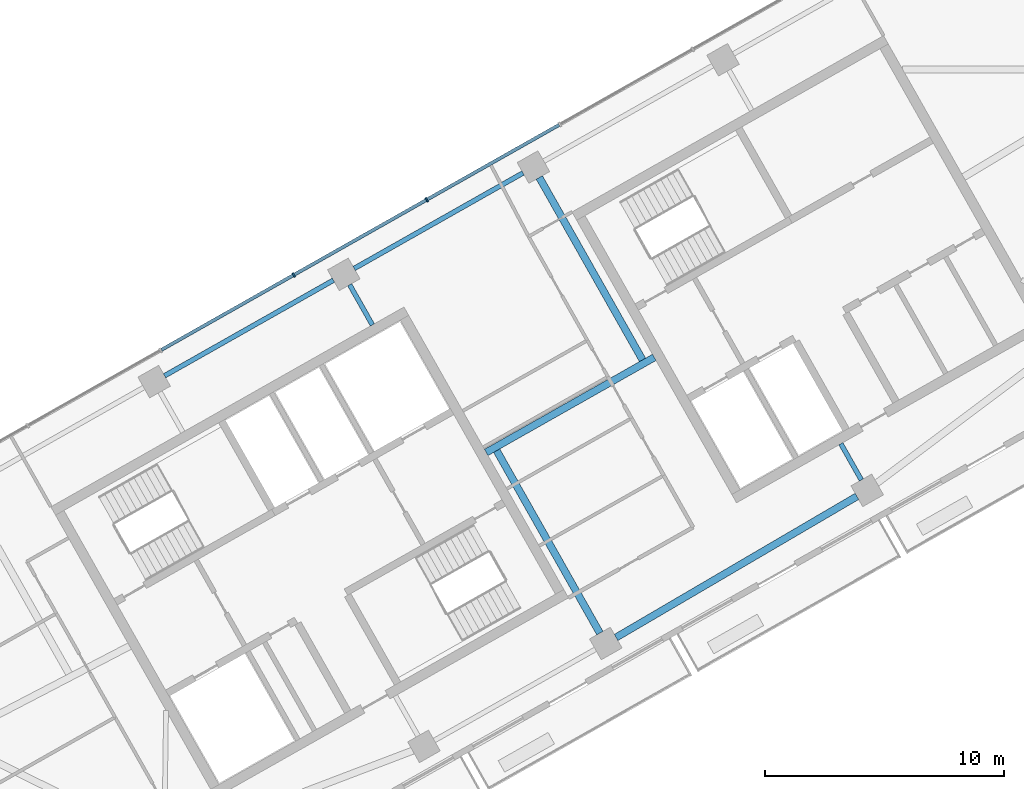
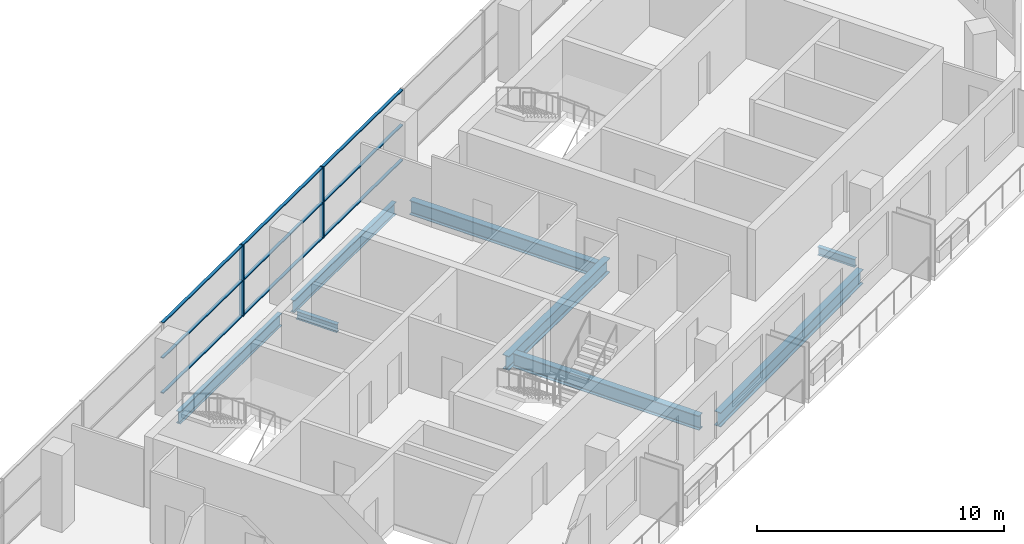
# One storey, part 3 of 10: 11 members, 8 beams, 1 element without a shape of its own.
"""IFC4 building model written with IfcOpenShell, lengths in metres."""

from ifc_helpers import new_model, si_unit, direction, frame, origin, origin_2d, place, context, subcontext, project, spatial, rectangle, i_section, extrude, material, material_profile, profile_set, type_object, element, aggregate, save


model = new_model("IFC4")

# Units and contexts
model_context = context("Model", 3, precision=1e-05, world=origin(), true_north=direction((0.0, 1.0)))
body_context = subcontext(model_context, "Body", "Model", "MODEL_VIEW")
ifc_project = project(units=[si_unit("LENGTHUNIT", "METRE"), si_unit("AREAUNIT", "SQUARE_METRE"), si_unit("VOLUMEUNIT", "CUBIC_METRE"), si_unit("PLANEANGLEUNIT", "RADIAN"), si_unit("MASSUNIT", "GRAM", prefix="KILO")], contexts=[model_context])

# Site, building, storey
site_placement = place(None, origin())
site = spatial("IfcSite", under=ifc_project, at=site_placement, CompositionType="ELEMENT")
building_placement = place(site_placement, origin())
building = spatial("IfcBuilding", under=site, at=building_placement, Name="Binnacle Exchange Tower", CompositionType="ELEMENT")
storey_placement = place(building_placement, frame((0.0, 0.0, 339.300048828125)))
storey = spatial("IfcBuildingStorey", under=building, at=storey_placement, Name="L77", CompositionType="ELEMENT", Elevation=339.300048828125)

# Curtain wall, members
ifc_material_1 = material(Name="Bronze anodised aluminium frame", Category="aluminium")
curtain_wall_type = type_object("IfcCurtainWallType", Name="External wall - curtain wall executive floors", PredefinedType="NOTDEFINED", material=ifc_material_1)
curtain_wall_placement = place(storey_placement, origin())
curtain_wall = element("IfcCurtainWall", 1, at=curtain_wall_placement, inside=storey, type_object=curtain_wall_type, Name="External wall curtain wall CW4-H03 L77", PredefinedType="NOTDEFINED")
ifc_material_profile_1 = material_profile(ifc_material_1, rectangle(XDim=0.199951171875, YDim=0.070068359375, at=origin_2d()), Name="AL 70x200")
ifc_profile_set_1 = profile_set([ifc_material_profile_1], Name="Bronze anodised aluminium frame")
member_type_1 = type_object("IfcMemberType", Name="CW4 MULLION 70x200", PredefinedType="MULLION", material=ifc_profile_set_1)
member_1_placement = place(storey_placement, frame((-30.85791015625, 54.541259765625, 0.0), z_axis=(0.0, 0.0, 1.0), x_axis=(0.492423763019, -0.870355581136, 0.0)))
member_1 = element("IfcMember", 2, at=member_1_placement, type_object=member_type_1, Name="CW4-H03 mullion 6", PredefinedType="MULLION", context=body_context, shape_type="SweptSolid", body=[
    extrude(rectangle(XDim=0.199951171875, YDim=0.070068359375, at=origin_2d()), origin(), (0.0, 0.0, 1.0), 3.52001953125),
])
member_2_placement = place(storey_placement, frame((-36.432861328125, 51.38720703125, 0.0), z_axis=(0.0, 0.0, 1.0), x_axis=(0.492423763019, -0.870355581136, 0.0)))
member_2 = element("IfcMember", 3, at=member_2_placement, type_object=member_type_1, Name="CW4-H03 mullion 7", PredefinedType="MULLION", context=body_context, shape_type="SweptSolid", body=[
    extrude(rectangle(XDim=0.199951171875, YDim=0.070068359375, at=origin_2d()), origin(), (0.0, 0.0, 1.0), 3.52001953125),
])
ifc_material_profile_2 = material_profile(ifc_material_1, rectangle(XDim=0.139892578125, YDim=0.050048828125, at=origin_2d()), Name="AL 140x50")
ifc_profile_set_2 = profile_set([ifc_material_profile_2], Name="Bronze anodised aluminium frame")
member_type_2 = type_object("IfcMemberType", Name="CW4 TRANSOM 50x140", PredefinedType="USERDEFINED", material=ifc_profile_set_2)
member_3_placement = place(storey_placement, frame((-25.3134765625, 57.67822265625, 0.02490234375), z_axis=(-0.870364679821, -0.492407680809, 0.0), x_axis=(0.492407680809, -0.870364679821, 0.0)))
member_3 = element("IfcMember", 4, at=member_3_placement, type_object=member_type_2, Name="CW4-H03 transom 5.1", ObjectType="TRANSOM", PredefinedType="USERDEFINED", context=body_context, shape_type="SweptSolid", body=[
    extrude(rectangle(XDim=0.139892578125, YDim=0.050048828125, at=origin_2d()), origin(), (0.0, 0.0, 1.0), 6.33544921875),
])
member_4_placement = place(storey_placement, frame((-25.3134765625, 57.67822265625, 1.760009765625), z_axis=(-0.870364679821, -0.492407680809, 0.0), x_axis=(0.492407680809, -0.870364679821, 0.0)))
member_4 = element("IfcMember", 5, at=member_4_placement, type_object=member_type_2, Name="CW4-H03 transom 5.2", ObjectType="TRANSOM", PredefinedType="USERDEFINED", context=body_context, shape_type="SweptSolid", body=[
    extrude(rectangle(XDim=0.139892578125, YDim=0.050048828125, at=origin_2d()), origin(), (0.0, 0.0, 1.0), 6.33544921875),
])
member_5_placement = place(storey_placement, frame((-25.3134765625, 57.67822265625, 3.494873046875), z_axis=(-0.870364679821, -0.492407680809, 0.0), x_axis=(0.492407680809, -0.870364679821, 0.0)))
member_5 = element("IfcMember", 6, at=member_5_placement, type_object=member_type_2, Name="CW4-H03 transom 5.3", ObjectType="TRANSOM", PredefinedType="USERDEFINED", context=body_context, shape_type="SweptSolid", body=[
    extrude(rectangle(XDim=0.139892578125, YDim=0.050048828125, at=origin_2d()), origin(), (0.0, 0.0, 1.0), 6.33544921875),
])
member_6_placement = place(storey_placement, frame((-30.888427734375, 54.524169921875, 0.02490234375), z_axis=(-0.870355335808, -0.492424196633, 0.0), x_axis=(0.492424196633, -0.870355335808, 0.0)))
member_6 = element("IfcMember", 7, at=member_6_placement, type_object=member_type_2, Name="CW4-H03 transom 6.1", ObjectType="TRANSOM", PredefinedType="USERDEFINED", context=body_context, shape_type="SweptSolid", body=[
    extrude(rectangle(XDim=0.139892578125, YDim=0.050048828125, at=origin_2d()), origin(), (0.0, 0.0, 1.0), 6.335205078125),
])
member_7_placement = place(storey_placement, frame((-30.888427734375, 54.524169921875, 1.760009765625), z_axis=(-0.870355335808, -0.492424196633, 0.0), x_axis=(0.492424196633, -0.870355335808, 0.0)))
member_7 = element("IfcMember", 8, at=member_7_placement, type_object=member_type_2, Name="CW4-H03 transom 6.2", ObjectType="TRANSOM", PredefinedType="USERDEFINED", context=body_context, shape_type="SweptSolid", body=[
    extrude(rectangle(XDim=0.139892578125, YDim=0.050048828125, at=origin_2d()), origin(), (0.0, 0.0, 1.0), 6.335205078125),
])
member_8_placement = place(storey_placement, frame((-30.888427734375, 54.524169921875, 3.494873046875), z_axis=(-0.870355335808, -0.492424196633, 0.0), x_axis=(0.492424196633, -0.870355335808, 0.0)))
member_8 = element("IfcMember", 9, at=member_8_placement, type_object=member_type_2, Name="CW4-H03 transom 6.3", ObjectType="TRANSOM", PredefinedType="USERDEFINED", context=body_context, shape_type="SweptSolid", body=[
    extrude(rectangle(XDim=0.139892578125, YDim=0.050048828125, at=origin_2d()), origin(), (0.0, 0.0, 1.0), 6.335205078125),
])
member_9_placement = place(storey_placement, frame((-36.46337890625, 51.3701171875, 0.02490234375), z_axis=(-0.870338819343, -0.492453388195, 0.0), x_axis=(0.492453388195, -0.870338819343, 0.0)))
member_9 = element("IfcMember", 10, at=member_9_placement, type_object=member_type_2, Name="CW4-H03 transom 7.1", ObjectType="TRANSOM", PredefinedType="USERDEFINED", context=body_context, shape_type="SweptSolid", body=[
    extrude(rectangle(XDim=0.139892578125, YDim=0.050048828125, at=origin_2d()), origin(), (0.0, 0.0, 1.0), 6.33544921875),
])
member_10_placement = place(storey_placement, frame((-36.46337890625, 51.3701171875, 1.760009765625), z_axis=(-0.870338819343, -0.492453388195, 0.0), x_axis=(0.492453388195, -0.870338819343, 0.0)))
member_10 = element("IfcMember", 11, at=member_10_placement, type_object=member_type_2, Name="CW4-H03 transom 7.2", ObjectType="TRANSOM", PredefinedType="USERDEFINED", context=body_context, shape_type="SweptSolid", body=[
    extrude(rectangle(XDim=0.139892578125, YDim=0.050048828125, at=origin_2d()), origin(), (0.0, 0.0, 1.0), 6.33544921875),
])
member_11_placement = place(storey_placement, frame((-36.46337890625, 51.3701171875, 3.494873046875), z_axis=(-0.870338819343, -0.492453388195, 0.0), x_axis=(0.492453388195, -0.870338819343, 0.0)))
member_11 = element("IfcMember", 12, at=member_11_placement, type_object=member_type_2, Name="CW4-H03 transom 7.3", ObjectType="TRANSOM", PredefinedType="USERDEFINED", context=body_context, shape_type="SweptSolid", body=[
    extrude(rectangle(XDim=0.139892578125, YDim=0.050048828125, at=origin_2d()), origin(), (0.0, 0.0, 1.0), 6.33544921875),
])
aggregate(curtain_wall, [member_1, member_2, member_3, member_4, member_5, member_6, member_7, member_8, member_9, member_10, member_11])

# Beams
ifc_material_2 = material(Name="Steel S355 (SHN355)", Category="steel")
ifc_material_profile_3 = material_profile(ifc_material_2, i_section(OverallWidth=0.201904296875, OverallDepth=0.612060546875, WebThickness=0.012939453125, FlangeThickness=0.02294921875, FilletRadius=0.02197265625, at=origin_2d()), Name="H 612x202x13x23")
ifc_profile_set_3 = profile_set([ifc_material_profile_3], Name="Steel S355 (SHN355)")
beam_type_1 = type_object("IfcBeamType", Name="Edge girder H 612x202x13x23 Steel S355 (SHN355)", PredefinedType="SPANDREL", material=ifc_profile_set_3)
beam_1_placement = place(storey_placement, frame((-34.76904296875, 51.168212890625, -0.5859375), z_axis=(-0.870345742373, -0.492441152558, 0.0), x_axis=(0.492441152558, -0.870345742373, 0.0)))
element("IfcBeam", 13, at=beam_1_placement, inside=storey, type_object=beam_type_1, Name="S:BM:edge:L77:009", PredefinedType="SPANDREL", context=body_context, shape_type="SweptSolid", body=[
    extrude(i_section(OverallWidth=0.201904296875, OverallDepth=0.612060546875, WebThickness=0.012939453125, FlangeThickness=0.02294921875, FilletRadius=0.02197265625, at=origin_2d()), origin(), (0.0, 0.0, 1.0), 8.129638671875),
])
beam_2_placement = place(storey_placement, frame((-26.82275390625, 55.6640625, -0.5859375), z_axis=(-0.870353024448, -0.49242828192, 0.0), x_axis=(0.49242828192, -0.870353024448, 0.0)))
element("IfcBeam", 14, at=beam_2_placement, inside=storey, type_object=beam_type_1, Name="S:BM:edge:L77:011", PredefinedType="SPANDREL", context=body_context, shape_type="SweptSolid", body=[
    extrude(i_section(OverallWidth=0.201904296875, OverallDepth=0.612060546875, WebThickness=0.012939453125, FlangeThickness=0.02294921875, FilletRadius=0.02197265625, at=origin_2d()), origin(), (0.0, 0.0, 1.0), 8.1298828125),
])
ifc_material_profile_4 = material_profile(ifc_material_2, i_section(OverallWidth=0.302001953125, OverallDepth=0.7080078125, WebThickness=0.014892578125, FlangeThickness=0.028076171875, FilletRadius=0.028076171875, at=origin_2d()), Name="H 708x302x15x28")
ifc_profile_set_4 = profile_set([ifc_material_profile_4], Name="Steel S355 (SHN355)")
beam_type_2 = type_object("IfcBeamType", Name="Edge girder H 708x302x15x28 Steel S355 (SHN355)", PredefinedType="SPANDREL", material=ifc_profile_set_4)
beam_3_placement = place(storey_placement, frame((-22.924560546875, 36.198974609375, -0.634033203125), z_axis=(0.862883491145, 0.505402889494, 0.0), x_axis=(-0.505402889494, 0.862883491145, 0.0)))
element("IfcBeam", 15, at=beam_3_placement, inside=storey, type_object=beam_type_2, Name="S:BM:edge:L77:012", PredefinedType="SPANDREL", context=body_context, shape_type="SweptSolid", body=[
    extrude(i_section(OverallWidth=0.302001953125, OverallDepth=0.7080078125, WebThickness=0.014892578125, FlangeThickness=0.028076171875, FilletRadius=0.028076171875, at=origin_2d()), origin(), (0.0, 0.0, 1.0), 11.69677734375),
])
ifc_material_profile_5 = material_profile(ifc_material_2, i_section(OverallWidth=0.199951171875, OverallDepth=0.39990234375, WebThickness=0.008056640625, FlangeThickness=0.012939453125, FilletRadius=0.01611328125, at=origin_2d()), Name="H 400x200x8x13")
ifc_profile_set_5 = profile_set([ifc_material_profile_5], Name="Steel S355 (SHN355)")
beam_type_3 = type_object("IfcBeamType", Name="Floor beam H 400x200x8x13 Steel S355 (SHN355)", PredefinedType="BEAM", material=ifc_profile_set_5)
beam_4_placement = place(storey_placement, frame((-34.087646484375, 50.979248046875, -0.47998046875), z_axis=(0.492464757892, -0.870332386065, 0.0), x_axis=(0.870332386065, 0.492464757892, 0.0)))
element("IfcBeam", 16, at=beam_4_placement, inside=storey, type_object=beam_type_3, Name="S:BM:cross:L77:022", PredefinedType="BEAM", context=body_context, shape_type="SweptSolid", body=[
    extrude(i_section(OverallWidth=0.199951171875, OverallDepth=0.39990234375, WebThickness=0.008056640625, FlangeThickness=0.012939453125, FilletRadius=0.01611328125, at=origin_2d()), origin(), (0.0, 0.0, 1.0), 1.934326171875),
])
beam_5_placement = place(storey_placement, frame((-12.646240234375, 42.79833984375, -0.47998046875), z_axis=(-0.492426196623, 0.870354204264, 0.0), x_axis=(-0.870354204264, -0.492426196623, 0.0)))
element("IfcBeam", 17, at=beam_5_placement, inside=storey, type_object=beam_type_3, Name="S:BM:cross:L77:027", PredefinedType="BEAM", context=body_context, shape_type="SweptSolid", body=[
    extrude(i_section(OverallWidth=0.199951171875, OverallDepth=0.39990234375, WebThickness=0.008056640625, FlangeThickness=0.012939453125, FilletRadius=0.01611328125, at=origin_2d()), origin(), (0.0, 0.0, 1.0), 1.744140625),
])
ifc_material_profile_6 = material_profile(ifc_material_2, i_section(OverallWidth=0.302001953125, OverallDepth=0.7080078125, WebThickness=0.014892578125, FlangeThickness=0.028076171875, FilletRadius=0.028076171875, at=origin_2d()), Name="H 708x302x15x28")
ifc_profile_set_6 = profile_set([ifc_material_profile_6], Name="Steel S355 (SHN355)")
beam_type_4 = type_object("IfcBeamType", Name="Floor beam H 708x302x15x28 Steel S355 (SHN355)", PredefinedType="BEAM", material=ifc_profile_set_6)
for number, where, z_axis, x_axis, name in (
    (18, (-26.141357421875, 55.47509765625, -0.634033203125), (0.492407973512, -0.870364514225, 0.0), (0.870364514225, 0.492407973512, 0.0), "S:BM:cross:L77:024"),
    (19, (-23.602294921875, 36.38134765625, -0.634033203125), (-0.492407973512, 0.870364514225, 0.0), (-0.870364514225, -0.492407973512, 0.0), "S:BM:cross:L77:025"),
):
    element("IfcBeam", number, at=place(storey_placement, frame(where, z_axis=z_axis, x_axis=x_axis)), inside=storey, type_object=beam_type_4, Name=name, PredefinedType="BEAM", context=body_context, shape_type="SweptSolid", body=[
        extrude(i_section(OverallWidth=0.302001953125, OverallDepth=0.7080078125, WebThickness=0.014892578125, FlangeThickness=0.028076171875, FilletRadius=0.028076171875, at=origin_2d()), origin(), (0.0, 0.0, 1.0), 8.7841796875),
    ])
ifc_material_profile_7 = material_profile(ifc_material_2, i_section(OverallWidth=0.302001953125, OverallDepth=0.7080078125, WebThickness=0.014892578125, FlangeThickness=0.028076171875, FilletRadius=0.028076171875, at=origin_2d()), Name="H 708x302x15x28")
ifc_profile_set_7 = profile_set([ifc_material_profile_7], Name="Steel S355 (SHN355)")
beam_type_5 = type_object("IfcBeamType", Name="Spine girder H 708x302x15x28 Steel S355 (SHN355)", PredefinedType="BEAM", material=ifc_profile_set_7)
beam_6_placement = place(storey_placement, frame((-28.365478515625, 43.951416015625, -0.634033203125), z_axis=(0.870350319004, 0.492433063684, 0.0), x_axis=(-0.492433063684, 0.870350319004, 0.0)))
element("IfcBeam", 20, at=beam_6_placement, inside=storey, type_object=beam_type_5, Name="S:BM:spine:L77:002", PredefinedType="BEAM", context=body_context, shape_type="SweptSolid", body=[
    extrude(i_section(OverallWidth=0.302001953125, OverallDepth=0.7080078125, WebThickness=0.014892578125, FlangeThickness=0.028076171875, FilletRadius=0.028076171875, at=origin_2d()), origin(), (0.0, 0.0, 1.0), 8.0908203125),
])

save(model, "model.ifc")
